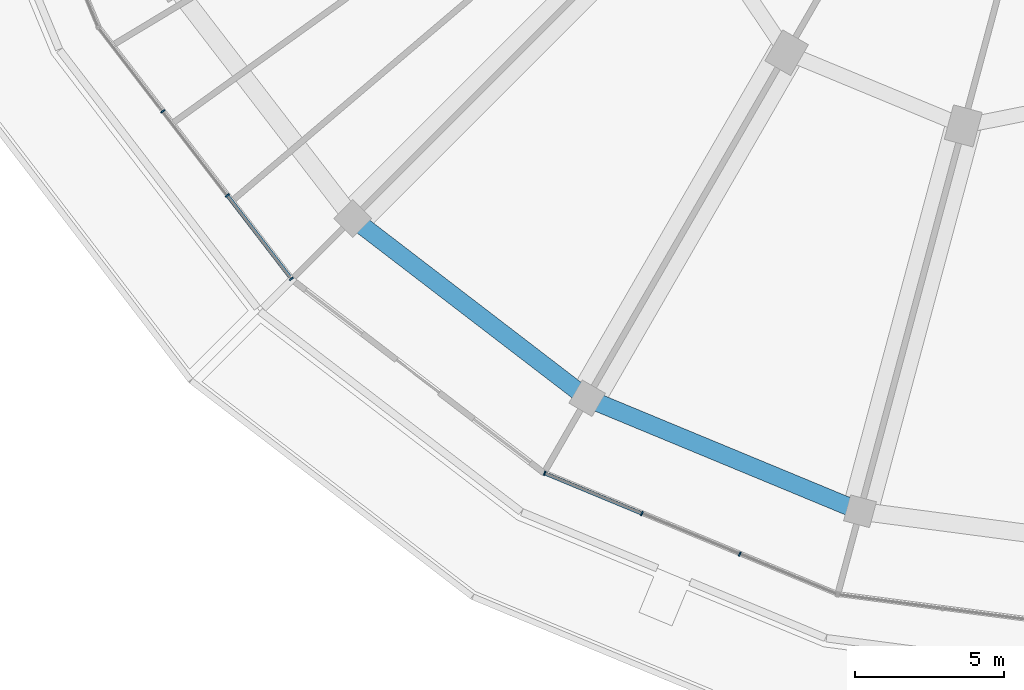
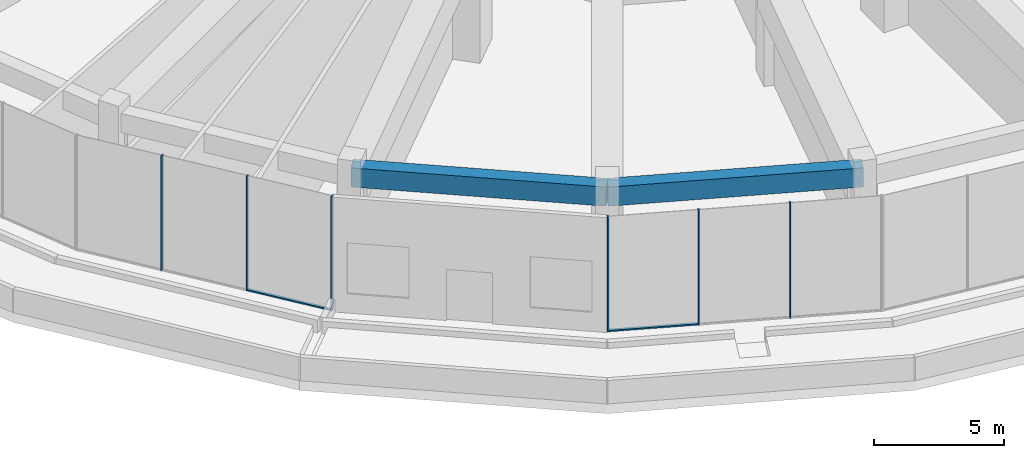
# One storey, part 2 of 30: 8 members, 2 beams, 2 elements without a shape of their own.
"""IFC4 building model written with IfcOpenShell, lengths in metres."""

from ifc_helpers import new_model, si_unit, direction, frame, origin, origin_2d, place, context, subcontext, project, spatial, rectangle, extrude, material, layer, layer_set, material_profile, profile_set, type_object, element, aggregate, save


model = new_model("IFC4")

# Units and contexts
model_context = context("Model", 3, precision=1e-05, world=origin(), true_north=direction((0.0, 1.0)))
body_context = subcontext(model_context, "Body", "Model", "MODEL_VIEW")
ifc_project = project(units=[si_unit("LENGTHUNIT", "METRE"), si_unit("AREAUNIT", "SQUARE_METRE"), si_unit("VOLUMEUNIT", "CUBIC_METRE"), si_unit("PLANEANGLEUNIT", "RADIAN"), si_unit("MASSUNIT", "GRAM", prefix="KILO")], contexts=[model_context])

# Site, building, storey
site_placement = place(None, origin())
site = spatial("IfcSite", under=ifc_project, at=site_placement, CompositionType="ELEMENT")
building_placement = place(site_placement, origin())
building = spatial("IfcBuilding", under=site, at=building_placement, Name="Torre Brocal", CompositionType="ELEMENT")
storey_placement = place(building_placement, frame((0.0, 0.0, 7.0)))
storey = spatial("IfcBuildingStorey", under=building, at=storey_placement, Name="L01", CompositionType="ELEMENT", Elevation=7.0)

# Curtain wall, members
ifc_material_1 = material(Name="Aluminium and glass", Category="aluminium")
ifc_layer = layer(ifc_material_1, 0.199951171875)
ifc_layer_set = layer_set([ifc_layer], Name="Aluminium and glass")
curtain_wall_type = type_object("IfcCurtainWallType", Name="CW-3 CURTAIN WALL 5400 HIGH", PredefinedType="NOTDEFINED", material=ifc_layer_set)
curtain_wall_1_placement = place(storey_placement, origin())
curtain_wall_1 = element("IfcCurtainWall", 1, at=curtain_wall_1_placement, inside=storey, type_object=curtain_wall_type, Name="CW-3 RUN 15", PredefinedType="NOTDEFINED")
ifc_material_2 = material(Name="Aluminium, dark anodised", Category="aluminium")
ifc_material_profile_1 = material_profile(ifc_material_2, rectangle(XDim=0.14990234375, YDim=0.050048828125, at=origin_2d()), Name="CW-3 MULLION 50X150")
ifc_profile_set_1 = profile_set([ifc_material_profile_1], Name="Aluminium, dark anodised")
member_type_1 = type_object("IfcMemberType", Name="CW-3 MULLION 50X150", PredefinedType="MULLION", material=ifc_profile_set_1)
member_1_placement = place(storey_placement, frame((46.746826171875, 51.72705078125, 0.0), z_axis=(0.0, 0.0, 1.0), x_axis=(0.793353340291, 0.608761429009, 0.0)))
member_1 = element("IfcMember", 2, at=member_1_placement, type_object=member_type_1, Name="CW3-2 mullion 2", PredefinedType="MULLION", context=body_context, shape_type="SweptSolid", body=[
    extrude(rectangle(XDim=0.14990234375, YDim=0.050048828125, at=origin_2d()), origin(), (0.0, 0.0, 1.0), 5.39990234375),
])
member_2_placement = place(storey_placement, frame((48.913330078125, 48.9033203125, 0.0), z_axis=(0.0, 0.0, 1.0), x_axis=(0.793353340291, 0.608761429009, 0.0)))
member_2 = element("IfcMember", 3, at=member_2_placement, type_object=member_type_1, Name="CW3-2 mullion 3", PredefinedType="MULLION", context=body_context, shape_type="SweptSolid", body=[
    extrude(rectangle(XDim=0.14990234375, YDim=0.050048828125, at=origin_2d()), origin(), (0.0, 0.0, 1.0), 5.39990234375),
])
member_3_placement = place(storey_placement, frame((51.064697265625, 46.099853515625, 0.0), z_axis=(0.0, 0.0, 1.0), x_axis=(0.793353340291, 0.608761429009, 0.0)))
member_3 = element("IfcMember", 4, at=member_3_placement, type_object=member_type_1, Name="CW3-2 mullion 4", PredefinedType="MULLION", context=body_context, shape_type="SweptSolid", body=[
    extrude(rectangle(XDim=0.14990234375, YDim=0.050048828125, at=origin_2d()), origin(), (0.0, 0.0, 1.0), 5.39990234375),
])

curtain_wall_2_placement = place(storey_placement, origin())
curtain_wall_2 = element("IfcCurtainWall", 5, at=curtain_wall_2_placement, inside=storey, type_object=curtain_wall_type, Name="CW-3 RUN 17", PredefinedType="NOTDEFINED")
member_4_placement = place(storey_placement, frame((59.573486328125, 39.57080078125, 0.0), z_axis=(0.0, 0.0, 1.0), x_axis=(0.382683432397, 0.923879532498, 0.0)))
member_4 = element("IfcMember", 6, at=member_4_placement, type_object=member_type_1, Name="CW3-2 mullion 1", PredefinedType="MULLION", context=body_context, shape_type="SweptSolid", body=[
    extrude(rectangle(XDim=0.14990234375, YDim=0.050048828125, at=origin_2d()), origin(), (0.0, 0.0, 1.0), 5.39990234375),
])
member_5_placement = place(storey_placement, frame((62.83837890625, 38.21826171875, 0.0), z_axis=(0.0, 0.0, 1.0), x_axis=(0.382683432397, 0.923879532498, 0.0)))
member_5 = element("IfcMember", 7, at=member_5_placement, type_object=member_type_1, Name="CW3-2 mullion 2", PredefinedType="MULLION", context=body_context, shape_type="SweptSolid", body=[
    extrude(rectangle(XDim=0.14990234375, YDim=0.050048828125, at=origin_2d()), origin(), (0.0, 0.0, 1.0), 5.39990234375),
])
member_6_placement = place(storey_placement, frame((66.12646484375, 36.8564453125, 0.0), z_axis=(0.0, 0.0, 1.0), x_axis=(0.382683432397, 0.923879532498, 0.0)))
member_6 = element("IfcMember", 8, at=member_6_placement, type_object=member_type_1, Name="CW3-2 mullion 3", PredefinedType="MULLION", context=body_context, shape_type="SweptSolid", body=[
    extrude(rectangle(XDim=0.14990234375, YDim=0.050048828125, at=origin_2d()), origin(), (0.0, 0.0, 1.0), 5.39990234375),
])

# Member
ifc_material_3 = material(Name="Aluminium, dark anodised", Category="aluminium")
ifc_material_profile_2 = material_profile(ifc_material_3, rectangle(XDim=0.1201171875, YDim=0.06005859375, at=origin_2d()), Name="CW-3 TRANSOM 120X60")
ifc_profile_set_2 = profile_set([ifc_material_profile_2], Name="Aluminium, dark anodised")
member_type_2 = type_object("IfcMemberType", Name="CW-3 TRANSOM 120X60", PredefinedType="USERDEFINED", material=ifc_profile_set_2)
member_7_placement = place(storey_placement, frame((48.9287109375, 48.883544921875, 0.030029296875), z_axis=(0.608765450251, -0.793350254667, 0.0), x_axis=(0.793350254667, 0.608765450251, 0.0)))
member_7 = element("IfcMember", 9, at=member_7_placement, type_object=member_type_2, Name="CW3-2 transom 3.1", ObjectType="TRANSOM", PredefinedType="USERDEFINED", context=body_context, shape_type="SweptSolid", body=[
    extrude(rectangle(XDim=0.1201171875, YDim=0.06005859375, at=origin_2d()), origin(), (0.0, 0.0, 1.0), 3.48388671875),
])

aggregate(curtain_wall_1, [member_1, member_2, member_3, member_7])

member_8_placement = place(storey_placement, frame((59.5966796875, 39.561279296875, 0.030029296875), z_axis=(0.923879324553, -0.382683934419, 0.0), x_axis=(0.382683934419, 0.923879324553, 0.0)))
member_8 = element("IfcMember", 10, at=member_8_placement, type_object=member_type_2, Name="CW3-2 transom 1.1", ObjectType="TRANSOM", PredefinedType="USERDEFINED", context=body_context, shape_type="SweptSolid", body=[
    extrude(rectangle(XDim=0.1201171875, YDim=0.06005859375, at=origin_2d()), origin(), (0.0, 0.0, 1.0), 3.48388671875),
])

aggregate(curtain_wall_2, [member_4, member_5, member_6, member_8])

# Beams
ifc_material_4 = material(Name="Concrete C50", Category="concrete")
ifc_material_profile_3 = material_profile(ifc_material_4, rectangle(XDim=0.60009765625, YDim=0.89990234375, at=origin_2d()), Name="RC 600X900")
ifc_profile_set_3 = profile_set([ifc_material_profile_3], Name="Concrete C50")
beam_type = type_object("IfcBeamType", Name="RC BEAM 600X900 C50 TOP 4950", PredefinedType="BEAM", material=ifc_profile_set_3)
for number, where, z_axis, x_axis, name in (
    (11, (53.1298828125, 48.1298828125, 4.5), (0.79335991075, -0.608752866125, 0.0), (0.608752866125, 0.79335991075, 0.0), "Beam BT-10"),
    (12, (61.0, 42.091064453125, 4.5), (0.923880950116, -0.382680009946, 0.0), (0.382680009946, 0.923880950116, 0.0), "Beam BT-10"),
):
    element("IfcBeam", number, at=place(storey_placement, frame(where, z_axis=z_axis, x_axis=x_axis)), inside=storey, type_object=beam_type, Name=name, PredefinedType="BEAM", context=body_context, shape_type="SweptSolid", body=[
        extrude(rectangle(XDim=0.60009765625, YDim=0.89990234375, at=origin_2d()), origin(), (0.0, 0.0, 1.0), 9.919921875),
    ])

save(model, "model.ifc")
